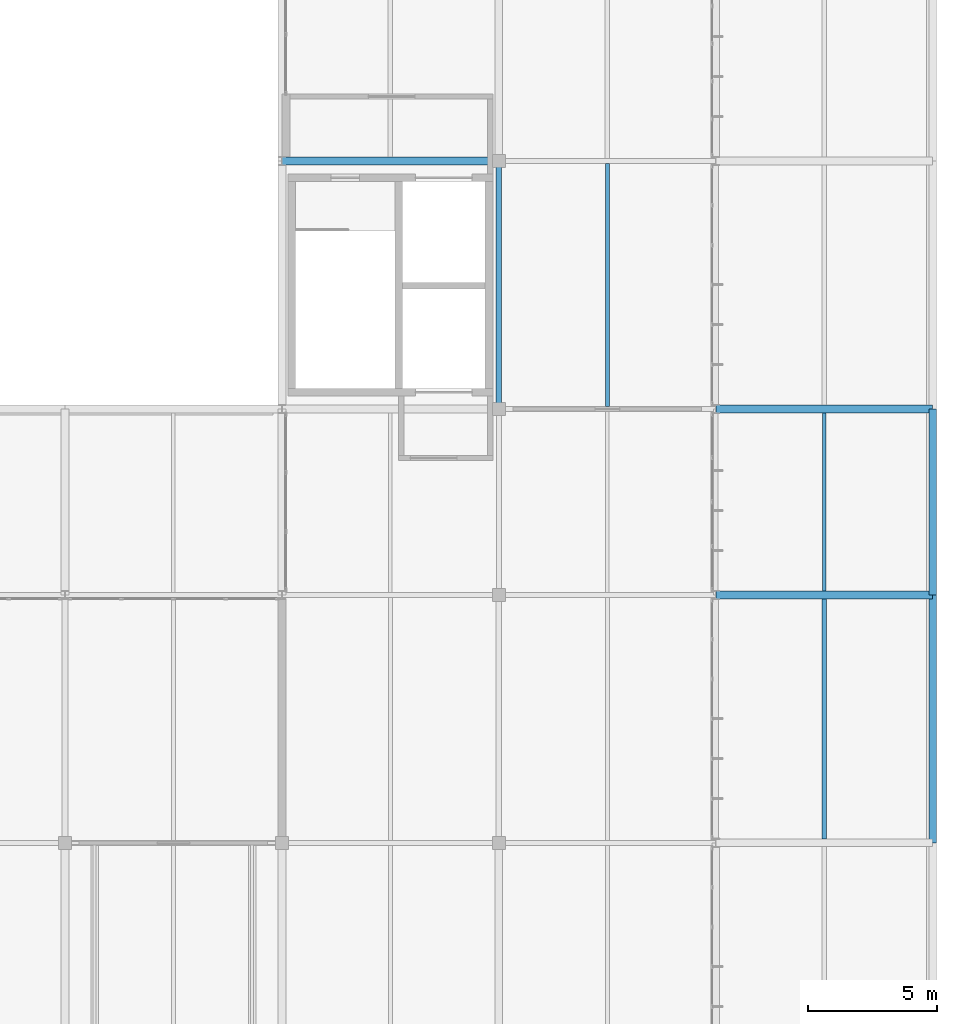
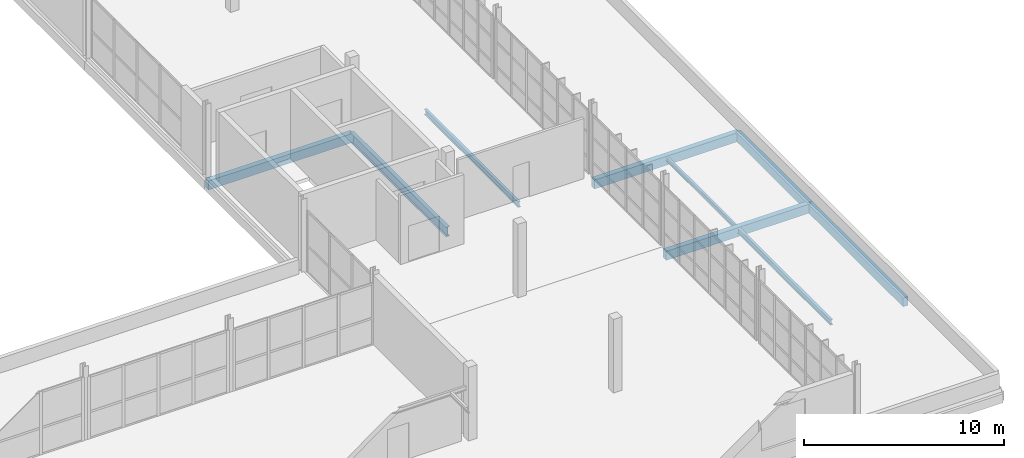
# One storey, part 77 of 103: 9 beams.
"""IFC4 building model written with IfcOpenShell, lengths in metres."""

from ifc_helpers import new_model, si_unit, direction, frame, origin, origin_2d, place, context, subcontext, project, spatial, rectangle, i_section, extrude, material, material_profile, profile_set, type_object, element, save


model = new_model("IFC4")

# Units and contexts
model_context = context("Model", 3, precision=1e-05, world=origin(), true_north=direction((0.0, 1.0)))
body_context = subcontext(model_context, "Body", "Model", "MODEL_VIEW")
ifc_project = project(units=[si_unit("LENGTHUNIT", "METRE"), si_unit("AREAUNIT", "SQUARE_METRE"), si_unit("VOLUMEUNIT", "CUBIC_METRE"), si_unit("PLANEANGLEUNIT", "RADIAN"), si_unit("MASSUNIT", "GRAM", prefix="KILO")], contexts=[model_context])

# Site, building, storey
site_placement = place(None, origin())
site = spatial("IfcSite", under=ifc_project, at=site_placement, CompositionType="ELEMENT")
building_placement = place(site_placement, origin())
building = spatial("IfcBuilding", under=site, at=building_placement, Name="Veltarok Museum of Natural Sciences", CompositionType="ELEMENT")
storey_placement = place(building_placement, frame((0.0, 0.0, 21.89990234375)))
storey = spatial("IfcBuildingStorey", under=building, at=storey_placement, Name="L04", CompositionType="ELEMENT", Elevation=21.89990234375)

# Beams
ifc_material_1 = material(Name="Precast concrete C40/50", Category="concrete")
ifc_material_profile_1 = material_profile(ifc_material_1, rectangle(XDim=0.300048828125, YDim=0.550048828125, at=origin_2d()), Name="RC 300x550")
ifc_profile_set_1 = profile_set([ifc_material_profile_1], Name="Precast concrete C40/50")
beam_type_1 = type_object("IfcBeamType", Name="East Wing Precast Spandrel RC 300x550", PredefinedType="SPANDREL", material=ifc_profile_set_1)
for number, where, z_axis, x_axis, name in (
    (1, (149.199951171875, 19.199951171875, -0.52490234375), (1.0, 0.0, 0.0), (0.0, 1.0, 0.0), "Beam BM-SP02 L04 18-19/C"),
    (2, (149.199951171875, 26.39990234375, -0.52490234375), (1.0, 0.0, 0.0), (0.0, 1.0, 0.0), "Beam BM-SP02 L04 18-19/D"),
    (3, (132.39990234375, 36.0, -0.52490234375), (1.0, 0.0, 0.0), (0.0, 1.0, 0.0), "Beam BM-SP02 L04 16-17/E"),
):
    element("IfcBeam", number, at=place(storey_placement, frame(where, z_axis=z_axis, x_axis=x_axis)), inside=storey, type_object=beam_type_1, Name=name, PredefinedType="SPANDREL", context=body_context, shape_type="SweptSolid", body=[
        extrude(rectangle(XDim=0.300048828125, YDim=0.550048828125, at=origin_2d()), origin(), (0.0, 0.0, 1.0), 8.400146484375),
    ])
beam_1_placement = place(storey_placement, frame((157.60009765625, 9.60009765625, -0.52490234375), z_axis=(0.0, 1.0, 0.0), x_axis=(-1.0, 0.0, 0.0)))
element("IfcBeam", 4, at=beam_1_placement, inside=storey, type_object=beam_type_1, Name="Beam BM-SP02 L04 19/B-C", PredefinedType="SPANDREL", context=body_context, shape_type="SweptSolid", body=[
    extrude(rectangle(XDim=0.300048828125, YDim=0.550048828125, at=origin_2d()), origin(), (0.0, 0.0, 1.0), 9.599853515625),
])
beam_2_placement = place(storey_placement, frame((157.60009765625, 19.199951171875, -0.52490234375), z_axis=(0.0, 1.0, 0.0), x_axis=(-1.0, 0.0, 0.0)))
element("IfcBeam", 5, at=beam_2_placement, inside=storey, type_object=beam_type_1, Name="Beam BM-SP02 L04 19/C-D", PredefinedType="SPANDREL", context=body_context, shape_type="SweptSolid", body=[
    extrude(rectangle(XDim=0.300048828125, YDim=0.550048828125, at=origin_2d()), origin(), (0.0, 0.0, 1.0), 7.199951171875),
])
ifc_material_2 = material(Name="Steel S355J2", Category="steel")
ifc_material_profile_2 = material_profile(ifc_material_2, i_section(OverallWidth=0.159912109375, OverallDepth=0.330078125, WebThickness=0.007568359375, FlangeThickness=0.011474609375, FilletRadius=0.01806640625, at=origin_2d()), Name="IPE 330")
ifc_profile_set_2 = profile_set([ifc_material_profile_2], Name="Steel S355J2")
beam_type_2 = type_object("IfcBeamType", Name="Medium-Bay Composite Joist IPE 330", PredefinedType="JOIST", material=ifc_profile_set_2)
beam_3_placement = place(storey_placement, frame((145.0, 26.492919921875, -0.414794921875), z_axis=(0.0, 1.0, 0.0), x_axis=(-1.0, 0.0, 0.0)))
element("IfcBeam", 6, at=beam_3_placement, inside=storey, type_object=beam_type_2, Name="Secondary Joist BM-J02 L04 17-18/D-E.1", PredefinedType="JOIST", context=body_context, shape_type="SweptSolid", body=[
    extrude(i_section(OverallWidth=0.159912109375, OverallDepth=0.330078125, WebThickness=0.007568359375, FlangeThickness=0.011474609375, FilletRadius=0.01806640625, at=origin_2d()), origin(), (0.0, 0.0, 1.0), 9.4140625),
])
beam_4_placement = place(storey_placement, frame((153.39990234375, 9.748046875, -0.414794921875), z_axis=(0.0, 1.0, 0.0), x_axis=(-1.0, 0.0, 0.0)))
element("IfcBeam", 7, at=beam_4_placement, inside=storey, type_object=beam_type_2, Name="Secondary Joist BM-J02 L04 18-19/B-C.1", PredefinedType="JOIST", context=body_context, shape_type="SweptSolid", body=[
    extrude(i_section(OverallWidth=0.159912109375, OverallDepth=0.330078125, WebThickness=0.007568359375, FlangeThickness=0.011474609375, FilletRadius=0.01806640625, at=origin_2d()), origin(), (0.0, 0.0, 1.0), 9.303955078125),
])
ifc_material_profile_3 = material_profile(ifc_material_2, i_section(OverallWidth=0.219970703125, OverallDepth=0.60009765625, WebThickness=0.011962890625, FlangeThickness=0.01904296875, FilletRadius=0.02392578125, at=origin_2d()), Name="IPE 600")
ifc_profile_set_3 = profile_set([ifc_material_profile_3], Name="Steel S355J2")
beam_type_3 = type_object("IfcBeamType", Name="Primary Museum Girder IPE 600", PredefinedType="BEAM", material=ifc_profile_set_3)
beam_5_placement = place(storey_placement, frame((140.800048828125, 26.39990234375, -0.5498046875), z_axis=(0.0, 1.0, 0.0), x_axis=(-1.0, 0.0, 0.0)))
element("IfcBeam", 8, at=beam_5_placement, inside=storey, type_object=beam_type_3, Name="Beam BM-G02 L04 17/D-E", PredefinedType="BEAM", context=body_context, shape_type="SweptSolid", body=[
    extrude(i_section(OverallWidth=0.219970703125, OverallDepth=0.60009765625, WebThickness=0.011962890625, FlangeThickness=0.01904296875, FilletRadius=0.02392578125, at=origin_2d()), origin(), (0.0, 0.0, 1.0), 9.60009765625),
])
ifc_material_profile_4 = material_profile(ifc_material_2, i_section(OverallWidth=0.135009765625, OverallDepth=0.27001953125, WebThickness=0.006591796875, FlangeThickness=0.01025390625, FilletRadius=0.014892578125, at=origin_2d()), Name="IPE 270")
ifc_profile_set_4 = profile_set([ifc_material_profile_4], Name="Steel S355J2")
beam_type_4 = type_object("IfcBeamType", Name="Short-Bay Composite Joist IPE 270", PredefinedType="JOIST", material=ifc_profile_set_4)
beam_6_placement = place(storey_placement, frame((153.39990234375, 19.347900390625, -0.385009765625), z_axis=(0.0, 1.0, 0.0), x_axis=(-1.0, 0.0, 0.0)))
element("IfcBeam", 9, at=beam_6_placement, inside=storey, type_object=beam_type_4, Name="Secondary Joist BM-J04 L04 18-19/C-D.1", PredefinedType="JOIST", context=body_context, shape_type="SweptSolid", body=[
    extrude(i_section(OverallWidth=0.135009765625, OverallDepth=0.27001953125, WebThickness=0.006591796875, FlangeThickness=0.01025390625, FilletRadius=0.014892578125, at=origin_2d()), origin(), (0.0, 0.0, 1.0), 6.904052734375),
])

save(model, "model.ifc")
